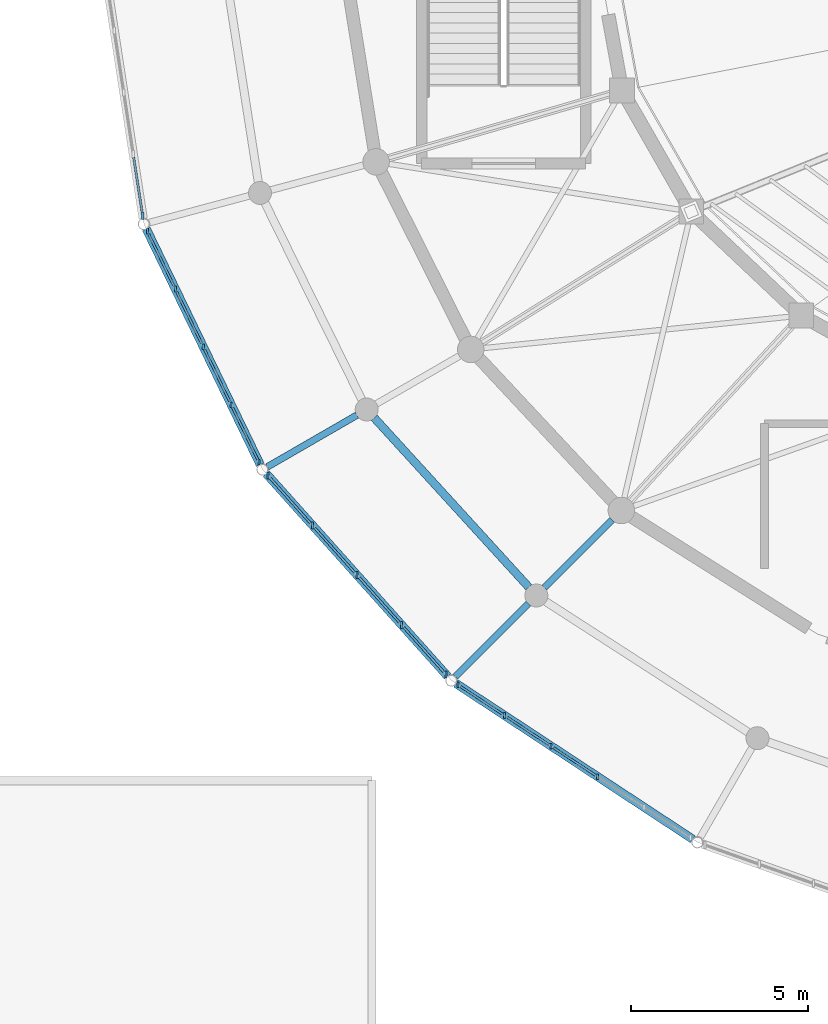
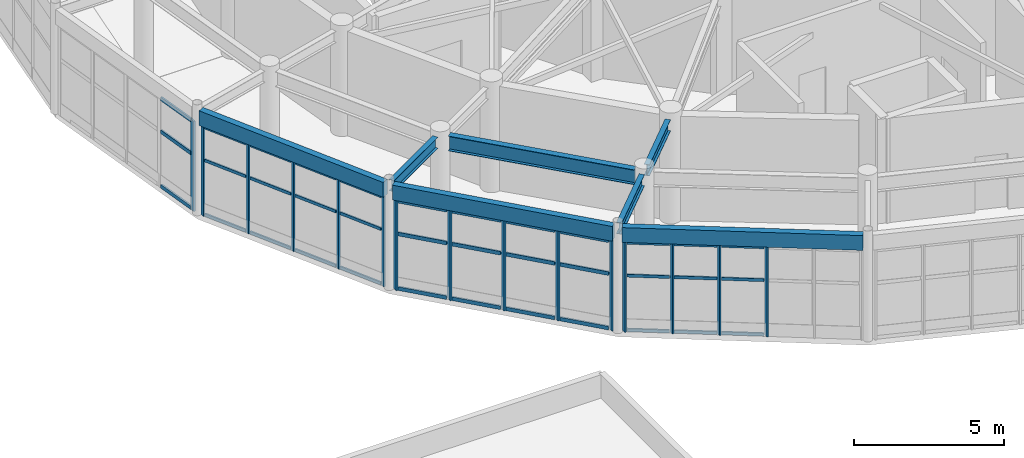
# One storey, part 39 of 112: 51 members, 7 beams, 4 elements without a shape of their own.
"""IFC4 building model written with IfcOpenShell, lengths in metres."""

import ifcopenshell
import ifcopenshell.guid

model = None  # the IFC model being written
_history = None  # IfcOwnerHistory: only IFC2X3 demands one
_inside = {}  # id of a spatial element -> (the spatial element, [elements in it])
_under = {}  # id of a project, library or spatial element -> (it, [spatial elements below it])
_declared = {}  # id of a project -> (the project, [libraries it declares])
_typed = {}  # id of a type object -> (the type object, [elements of that type])
_made_of = {}  # id of a material, layer set ... -> (it, [elements and type objects made of it])


def new_model(schema):
    """Start an empty IFC model of exactly this schema.

    Asked for "IFC4X3", IfcOpenShell would pick the latest addendum, in which some entities
    have other attributes; the version numbers below select the first issue.
    IFC2X3 requires an IfcOwnerHistory on every rooted entity: one is made here for all.
    """
    global model, _history
    if schema == "IFC4X3":
        model = ifcopenshell.file(schema_version=(4, 3, 0, 0))
    else:
        model = ifcopenshell.file(schema=schema)
    _inside.clear()
    _under.clear()
    _declared.clear()
    _typed.clear()
    _made_of.clear()
    _history = None
    if model.schema == "IFC2X3":
        org = make("IfcOrganization", Name="unknown")
        user = make(
            "IfcPersonAndOrganization",
            ThePerson=make("IfcPerson", FamilyName="unknown"),
            TheOrganization=org,
        )
        app = make(
            "IfcApplication",
            ApplicationDeveloper=org,
            Version="unknown",
            ApplicationFullName="unknown",
            ApplicationIdentifier="unknown",
        )
        _history = make(
            "IfcOwnerHistory",
            OwningUser=user,
            OwningApplication=app,
            ChangeAction="ADDED",
            CreationDate=0,
        )
    return model


def make(cls, **values):
    """One entity of the class cls with the attributes given. An attribute that is None is left unset."""
    return model.create_entity(
        cls, **{name: value for name, value in values.items() if value is not None}
    )


def rooted(cls, **values):
    """An entity with a GlobalId (a new one), such as an element, a storey or a relation."""
    return make(cls, GlobalId=ifcopenshell.guid.new(), OwnerHistory=_history, **values)


def si_unit(unit_type, name, prefix=None):
    """IfcSIUnit, for example si_unit("LENGTHUNIT", "METRE", prefix="MILLI")."""
    return make("IfcSIUnit", UnitType=unit_type, Prefix=prefix, Name=name)


def assignment(units):
    """IfcUnitAssignment: the units of a project."""
    return None if units is None else make("IfcUnitAssignment", Units=units)


def point(xyz):
    """IfcCartesianPoint."""
    return None if xyz is None else make("IfcCartesianPoint", Coordinates=xyz)


def direction(xyz):
    """IfcDirection."""
    return None if xyz is None else make("IfcDirection", DirectionRatios=xyz)


def frame(location, z_axis=None, x_axis=None):
    """IfcAxis2Placement3D, a coordinate frame: its origin and axes. An axis left out is left unset."""
    return make(
        "IfcAxis2Placement3D",
        Location=point(location),
        Axis=direction(z_axis),
        RefDirection=direction(x_axis),
    )


def frame_2d(location, x_axis=None):
    """IfcAxis2Placement2D, a coordinate frame in the plane: its origin and x axis."""
    return make(
        "IfcAxis2Placement2D", Location=point(location), RefDirection=direction(x_axis)
    )


def origin():
    """The frame at (0, 0, 0) with its axes left unset."""
    return frame((0.0, 0.0, 0.0))


def origin_2d():
    """The frame at (0, 0) in the plane with its x axis left unset."""
    return frame_2d((0.0, 0.0))


def place(relative_to, where):
    """IfcLocalPlacement: puts the frame where relative to a parent placement (None: the world)."""
    return make(
        "IfcLocalPlacement", PlacementRelTo=relative_to, RelativePlacement=where
    )


def context(
    kind, dimensions, precision=None, world=None, true_north=None, identifier=None
):
    """IfcGeometricRepresentationContext, for example the 3D "Model" context."""
    return make(
        "IfcGeometricRepresentationContext",
        ContextIdentifier=identifier,
        ContextType=kind,
        CoordinateSpaceDimension=dimensions,
        Precision=precision,
        WorldCoordinateSystem=world,
        TrueNorth=true_north,
    )


def subcontext(parent, identifier, kind, view, scale=None):
    """IfcGeometricRepresentationSubContext, for example "Body" below "Model"."""
    return make(
        "IfcGeometricRepresentationSubContext",
        ContextIdentifier=identifier,
        ContextType=kind,
        ParentContext=parent,
        TargetScale=scale,
        TargetView=view,
    )


def project(units=None, contexts=None):
    """IfcProject with its units and contexts."""
    return rooted(
        "IfcProject",
        Name="project",
        RepresentationContexts=contexts,
        UnitsInContext=assignment(units),
    )


def spatial(cls, under=None, at=None, **own):
    """A site, building, storey or space (cls), placed at a placement, below another one or the project."""
    s = rooted(cls, ObjectPlacement=at, **own)
    if under is not None:
        _under.setdefault(under.id(), (under, []))[1].append(s)
    return s


def profile(cls, at=None, kind="AREA", **sizes):
    """A parametric profile (cls). Its sizes go by their IFC names, for example OverallWidth=200.0."""
    return make(cls, ProfileType=kind, Position=at, **sizes)


def rectangle(**sizes):
    """IfcRectangleProfileDef."""
    return profile("IfcRectangleProfileDef", **sizes)


def i_section(**sizes):
    """IfcIShapeProfileDef."""
    return profile("IfcIShapeProfileDef", **sizes)


def extrude(swept, where, along, depth):
    """IfcExtrudedAreaSolid: the profile swept, set in the frame where, extruded along a direction by depth."""
    return make(
        "IfcExtrudedAreaSolid",
        SweptArea=swept,
        Position=where,
        ExtrudedDirection=direction(along),
        Depth=depth,
    )


def shape(context_of_items, identifier, shape_type, items):
    """IfcShapeRepresentation: the items that make up one representation, for example the "Body"."""
    return make(
        "IfcShapeRepresentation",
        ContextOfItems=context_of_items,
        RepresentationIdentifier=identifier,
        RepresentationType=shape_type,
        Items=items,
    )


def material(Name=None, Category=None):
    """IfcMaterial."""
    return make("IfcMaterial", Name=Name, Category=Category)


def material_profile(
    of_material, cross_section, Name=None, Category=None, Priority=None
):
    """IfcMaterialProfile: a cross section and its material."""
    return make(
        "IfcMaterialProfile",
        Name=Name,
        Material=of_material,
        Profile=cross_section,
        Priority=Priority,
        Category=Category,
    )


def profile_set(profiles, Name=None, composite=None):
    """IfcMaterialProfileSet."""
    return make(
        "IfcMaterialProfileSet",
        Name=Name,
        MaterialProfiles=profiles,
        CompositeProfile=composite,
    )


def made_of(thing, what):
    """Note that an element or type object is made of a material, layer set ...; save() writes the relation."""
    if what is not None:
        _made_of.setdefault(what.id(), (what, []))[1].append(thing)
    return thing


def type_object(cls, material=None, **own):
    """A type object (cls), such as IfcWallType, which elements share."""
    return made_of(rooted(cls, **own), material)


def element(
    cls,
    number,
    at=None,
    inside=None,
    cuts=None,
    type_object=None,
    material=None,
    context=None,
    identifier="Body",
    shape_type=None,
    held_by="IfcProductDefinitionShape",
    body=None,
    shapes=None,
    **own,
):
    """One element of the class cls, such as IfcWall. Its Tag is "e" and its number.

    at: its placement. inside: the storey or other place that contains it. cuts: it is an
    opening in that element (IfcRelVoidsElement). A single representation is given by context,
    identifier, shape_type and body (its items); several are given by shapes. held_by: the class
    of the entity that holds the representations. save() writes the other relations.
    """
    e = rooted(cls, Tag="e%d" % number, ObjectPlacement=at, **own)
    if body is not None:
        shapes = [shape(context, identifier, shape_type, body)]
    if shapes is not None:
        e.Representation = make(held_by, Representations=shapes)
    if inside is not None:
        _inside.setdefault(inside.id(), (inside, []))[1].append(e)
    if cuts is not None:
        rooted(
            "IfcRelVoidsElement", RelatingBuildingElement=cuts, RelatedOpeningElement=e
        )
    if type_object is not None:
        _typed.setdefault(type_object.id(), (type_object, []))[1].append(e)
    return made_of(e, material)


def aggregate(whole, parts):
    """IfcRelAggregates: a whole, such as a stair, and the parts it consists of."""
    return rooted("IfcRelAggregates", RelatingObject=whole, RelatedObjects=parts)


def save(model, path):
    """Write the relations noted so far, then the file.

    IfcRelAggregates (storeys below a building ...), IfcRelContainedInSpatialStructure (elements
    in a storey), IfcRelDefinesByType, IfcRelAssociatesMaterial and IfcRelDeclares: one each for
    every whole, place, type object, material and project.
    """
    for whole, parts in _under.values():
        aggregate(whole, parts)
    for where, things in _inside.values():
        rooted(
            "IfcRelContainedInSpatialStructure",
            RelatedElements=things,
            RelatingStructure=where,
        )
    for kind, things in _typed.values():
        rooted("IfcRelDefinesByType", RelatedObjects=things, RelatingType=kind)
    for what, things in _made_of.values():
        rooted("IfcRelAssociatesMaterial", RelatedObjects=things, RelatingMaterial=what)
    for by, libraries in _declared.values():
        rooted("IfcRelDeclares", RelatingContext=by, RelatedDefinitions=libraries)
    model.write(path)


model = new_model("IFC4")

# Units and contexts
model_context = context("Model", 3, precision=1e-05, world=origin(), true_north=direction((0.0, 1.0)))
body_context = subcontext(model_context, "Body", "Model", "MODEL_VIEW")
ifc_project = project(units=[si_unit("LENGTHUNIT", "METRE"), si_unit("AREAUNIT", "SQUARE_METRE"), si_unit("VOLUMEUNIT", "CUBIC_METRE"), si_unit("PLANEANGLEUNIT", "RADIAN"), si_unit("MASSUNIT", "GRAM", prefix="KILO")], contexts=[model_context])

# Site, building, storey
site_placement = place(None, origin())
site = spatial("IfcSite", under=ifc_project, at=site_placement, CompositionType="ELEMENT")
building_placement = place(site_placement, origin())
building = spatial("IfcBuilding", under=site, at=building_placement, Name="Cinderbank Siding Concert Hall", CompositionType="ELEMENT")
storey_placement = place(building_placement, frame((0.0, 0.0, 10.199951171875)))
storey = spatial("IfcBuildingStorey", under=building, at=storey_placement, Name="L03", CompositionType="ELEMENT", Elevation=10.199951171875)

# Beams
ifc_material_1 = material(Name="Structural steel AS/NZS 3679.1 Grade 350 (340 MPa)", Category="steel")
ifc_material_profile_1 = material_profile(ifc_material_1, i_section(OverallWidth=0.19091796875, OverallDepth=0.46044921875, WebThickness=0.010009765625, FlangeThickness=0.01611328125, at=origin_2d()), Name="460UB82.1", Category="LoadBearing")
ifc_profile_set_1 = profile_set([ifc_material_profile_1], Name="Structural steel AS/NZS 3679.1 Grade 350 (340 MPa)")
beam_type_1 = type_object("IfcBeamType", Name="BM-UB460H 460UB82.1", PredefinedType="BEAM", material=ifc_profile_set_1)
beam_1_placement = place(storey_placement, frame((102.7900390625, 28.18408203125, 4.011962890625), z_axis=(-0.707151723938, -0.707061835578, 0.0), x_axis=(0.707061835578, -0.707151723938, 0.0)))
element("IfcBeam", 1, at=beam_1_placement, inside=storey, type_object=beam_type_1, Name="L03 Beam BM-UB460H #619", PredefinedType="BEAM", context=body_context, shape_type="SweptSolid", body=[
    extrude(i_section(OverallWidth=0.19091796875, OverallDepth=0.46044921875, WebThickness=0.010009765625, FlangeThickness=0.01611328125, at=origin_2d()), origin(), (0.0, 0.0, 1.0), 2.716064453125),
])
beam_2_placement = place(storey_placement, frame((95.571533203125, 31.1416015625, 4.0517578125), z_axis=(-0.866013467834, -0.500020673103, 0.0), x_axis=(0.500020673103, -0.866013467834, 0.0)))
element("IfcBeam", 2, at=beam_2_placement, inside=storey, type_object=beam_type_1, Name="L03 Beam BM-UB460H #642", PredefinedType="BEAM", context=body_context, shape_type="SweptSolid", body=[
    extrude(i_section(OverallWidth=0.19091796875, OverallDepth=0.46044921875, WebThickness=0.010009765625, FlangeThickness=0.01611328125, at=origin_2d()), origin(), (0.0, 0.0, 1.0), 2.92919921875),
])
beam_3_placement = place(storey_placement, frame((100.421142578125, 25.815185546875, 4.0517578125), z_axis=(-0.707106781187, -0.707106781187, 0.0), x_axis=(0.707106781187, -0.707106781187, 0.0)))
element("IfcBeam", 3, at=beam_3_placement, inside=storey, type_object=beam_type_1, Name="L03 Beam BM-UB460H #643", PredefinedType="BEAM", context=body_context, shape_type="SweptSolid", body=[
    extrude(i_section(OverallWidth=0.19091796875, OverallDepth=0.46044921875, WebThickness=0.010009765625, FlangeThickness=0.01611328125, at=origin_2d()), origin(), (0.0, 0.0, 1.0), 2.928955078125),
])
ifc_material_profile_2 = material_profile(ifc_material_1, i_section(OverallWidth=0.22802734375, OverallDepth=0.60693359375, WebThickness=0.01123046875, FlangeThickness=0.017333984375, at=origin_2d()), Name="610UB113", Category="LoadBearing")
ifc_profile_set_2 = profile_set([ifc_material_profile_2], Name="Structural steel AS/NZS 3679.1 Grade 350 (340 MPa)")
beam_type_2 = type_object("IfcBeamType", Name="BM-UB610M 610UB113", PredefinedType="BEAM", material=ifc_profile_set_2)
beam_4_placement = place(storey_placement, frame((96.059814453125, 31.06591796875, 3.9384765625), z_axis=(0.67395874418, -0.73876898361, 0.0), x_axis=(0.73876898361, 0.67395874418, 0.0)))
element("IfcBeam", 4, at=beam_4_placement, inside=storey, type_object=beam_type_2, Name="L03 Beam BM-UB610M #559", PredefinedType="BEAM", context=body_context, shape_type="SweptSolid", body=[
    extrude(i_section(OverallWidth=0.22802734375, OverallDepth=0.60693359375, WebThickness=0.01123046875, FlangeThickness=0.017333984375, at=origin_2d()), origin(), (0.0, 0.0, 1.0), 6.48681640625),
])

# Curtain wall, members
ifc_material_2 = material(Name="Anodised aluminium alloy 6063-T6", Category="aluminium")
curtain_wall_type_1 = type_object("IfcCurtainWallType", Name="CW-02 Unitised Acoustic Curtain Wall 7800x4400", PredefinedType="NOTDEFINED", material=ifc_material_2)
curtain_wall_1_placement = place(storey_placement, origin())
curtain_wall_1 = element("IfcCurtainWall", 5, at=curtain_wall_1_placement, inside=storey, type_object=curtain_wall_type_1, Name="L03 Curtain Wall CW-02 #38", PredefinedType="NOTDEFINED")
ifc_material_profile_3 = material_profile(ifc_material_2, rectangle(XDim=0.06005859375, YDim=0.159912109375, at=origin_2d()), Name="ALU-MULL-60x160", Category="LoadBearing")
ifc_profile_set_3 = profile_set([ifc_material_profile_3], Name="Anodised aluminium alloy 6063-T6")
member_type_1 = type_object("IfcMemberType", Name="CW-ML1 Mullion 60x160", PredefinedType="MULLION", material=ifc_profile_set_3)
member_1_placement = place(storey_placement, frame((89.6435546875, 36.341796875, 0.0), z_axis=(0.0, 0.0, 1.0), x_axis=(1.0, 0.0, 0.0)))
member_1 = element("IfcMember", 6, at=member_1_placement, type_object=member_type_1, Name="CW-L03-038 Mullion 0", PredefinedType="MULLION", context=body_context, shape_type="SweptSolid", body=[
    extrude(rectangle(XDim=0.06005859375, YDim=0.159912109375, at=origin_2d()), origin(), (0.0, 0.0, 1.0), 3.6669921875),
])
member_2_placement = place(storey_placement, frame((90.433349609375, 34.707275390625, 0.0), z_axis=(0.0, 0.0, 1.0), x_axis=(1.0, 0.0, 0.0)))
member_2 = element("IfcMember", 7, at=member_2_placement, type_object=member_type_1, Name="CW-L03-038 Mullion 1", PredefinedType="MULLION", context=body_context, shape_type="SweptSolid", body=[
    extrude(rectangle(XDim=0.06005859375, YDim=0.159912109375, at=origin_2d()), origin(), (0.0, 0.0, 1.0), 3.6669921875),
])
member_3_placement = place(storey_placement, frame((91.22314453125, 33.072998046875, 0.0), z_axis=(0.0, 0.0, 1.0), x_axis=(1.0, 0.0, 0.0)))
member_3 = element("IfcMember", 8, at=member_3_placement, type_object=member_type_1, Name="CW-L03-038 Mullion 2", PredefinedType="MULLION", context=body_context, shape_type="SweptSolid", body=[
    extrude(rectangle(XDim=0.06005859375, YDim=0.159912109375, at=origin_2d()), origin(), (0.0, 0.0, 1.0), 3.6669921875),
])
member_4_placement = place(storey_placement, frame((92.012939453125, 31.438720703125, 0.0), z_axis=(0.0, 0.0, 1.0), x_axis=(1.0, 0.0, 0.0)))
member_4 = element("IfcMember", 9, at=member_4_placement, type_object=member_type_1, Name="CW-L03-038 Mullion 3", PredefinedType="MULLION", context=body_context, shape_type="SweptSolid", body=[
    extrude(rectangle(XDim=0.06005859375, YDim=0.159912109375, at=origin_2d()), origin(), (0.0, 0.0, 1.0), 3.6669921875),
])
member_5_placement = place(storey_placement, frame((92.802734375, 29.80419921875, 0.0), z_axis=(0.0, 0.0, 1.0), x_axis=(1.0, 0.0, 0.0)))
member_5 = element("IfcMember", 10, at=member_5_placement, type_object=member_type_1, Name="CW-L03-038 Mullion 4", PredefinedType="MULLION", context=body_context, shape_type="SweptSolid", body=[
    extrude(rectangle(XDim=0.06005859375, YDim=0.159912109375, at=origin_2d()), origin(), (0.0, 0.0, 1.0), 3.6669921875),
])

curtain_wall_type_2 = type_object("IfcCurtainWallType", Name="CW-04 Unitised Acoustic Curtain Wall 7000x4400", PredefinedType="NOTDEFINED", material=ifc_material_2)
curtain_wall_2_placement = place(storey_placement, origin())
curtain_wall_2 = element("IfcCurtainWall", 11, at=curtain_wall_2_placement, inside=storey, type_object=curtain_wall_type_2, Name="L03 Curtain Wall CW-04 #40", PredefinedType="NOTDEFINED")
member_6_placement = place(storey_placement, frame((98.430908203125, 23.510498046875, 0.0), z_axis=(0.0, 0.0, 1.0), x_axis=(1.0, 0.0, 0.0)))
member_6 = element("IfcMember", 12, at=member_6_placement, type_object=member_type_1, Name="CW-L03-040 Mullion 0", PredefinedType="MULLION", context=body_context, shape_type="SweptSolid", body=[
    extrude(rectangle(XDim=0.06005859375, YDim=0.159912109375, at=origin_2d()), origin(), (0.0, 0.0, 1.0), 3.6669921875),
])
member_7_placement = place(storey_placement, frame((99.74658203125, 22.64501953125, 0.0), z_axis=(0.0, 0.0, 1.0), x_axis=(1.0, 0.0, 0.0)))
member_7 = element("IfcMember", 13, at=member_7_placement, type_object=member_type_1, Name="CW-L03-040 Mullion 1", PredefinedType="MULLION", context=body_context, shape_type="SweptSolid", body=[
    extrude(rectangle(XDim=0.06005859375, YDim=0.159912109375, at=origin_2d()), origin(), (0.0, 0.0, 1.0), 3.6669921875),
])
member_8_placement = place(storey_placement, frame((101.0625, 21.779541015625, 0.0), z_axis=(0.0, 0.0, 1.0), x_axis=(1.0, 0.0, 0.0)))
member_8 = element("IfcMember", 14, at=member_8_placement, type_object=member_type_1, Name="CW-L03-040 Mullion 2", PredefinedType="MULLION", context=body_context, shape_type="SweptSolid", body=[
    extrude(rectangle(XDim=0.06005859375, YDim=0.159912109375, at=origin_2d()), origin(), (0.0, 0.0, 1.0), 3.6669921875),
])
member_9_placement = place(storey_placement, frame((102.378662109375, 20.914306640625, 0.0), z_axis=(0.0, 0.0, 1.0), x_axis=(1.0, 0.0, 0.0)))
member_9 = element("IfcMember", 15, at=member_9_placement, type_object=member_type_1, Name="CW-L03-040 Mullion 3", PredefinedType="MULLION", context=body_context, shape_type="SweptSolid", body=[
    extrude(rectangle(XDim=0.06005859375, YDim=0.159912109375, at=origin_2d()), origin(), (0.0, 0.0, 1.0), 3.6669921875),
])

# Curtain wall, member
curtain_wall_type_3 = type_object("IfcCurtainWallType", Name="CW-01 Unitised Acoustic Curtain Wall 8200x4400", PredefinedType="NOTDEFINED", material=ifc_material_2)
curtain_wall_3_placement = place(storey_placement, origin())
curtain_wall_3 = element("IfcCurtainWall", 16, at=curtain_wall_3_placement, inside=storey, type_object=curtain_wall_type_3, Name="L03 Curtain Wall CW-01 #37", PredefinedType="NOTDEFINED")
ifc_material_profile_4 = material_profile(ifc_material_2, rectangle(XDim=0.06494140625, YDim=0.199951171875, at=origin_2d()), Name="ALU-MULL-65x200", Category="LoadBearing")
ifc_profile_set_4 = profile_set([ifc_material_profile_4], Name="Anodised aluminium alloy 6063-T6")
member_type_2 = type_object("IfcMemberType", Name="CW-ML2 Mullion 65x200", PredefinedType="MULLION", material=ifc_profile_set_4)
member_10_placement = place(storey_placement, frame((89.510498046875, 36.770263671875, 0.0), z_axis=(0.0, 0.0, 1.0), x_axis=(1.0, 0.0, 0.0)))
member_10 = element("IfcMember", 17, at=member_10_placement, type_object=member_type_2, Name="CW-L03-037 Mullion 4", PredefinedType="MULLION", context=body_context, shape_type="SweptSolid", body=[
    extrude(rectangle(XDim=0.06494140625, YDim=0.199951171875, at=origin_2d()), origin(), (0.0, 0.0, 1.0), 3.6669921875),
])

# Curtain wall, members
curtain_wall_type_4 = type_object("IfcCurtainWallType", Name="CW-03 Unitised Acoustic Curtain Wall 7400x4400", PredefinedType="NOTDEFINED", material=ifc_material_2)
curtain_wall_4_placement = place(storey_placement, origin())
curtain_wall_4 = element("IfcCurtainWall", 18, at=curtain_wall_4_placement, inside=storey, type_object=curtain_wall_type_4, Name="L03 Curtain Wall CW-03 #39", PredefinedType="NOTDEFINED")
member_11_placement = place(storey_placement, frame((93.052978515625, 29.430908203125, 0.0), z_axis=(0.0, 0.0, 1.0), x_axis=(1.0, 0.0, 0.0)))
member_11 = element("IfcMember", 19, at=member_11_placement, type_object=member_type_2, Name="CW-L03-039 Mullion 0", PredefinedType="MULLION", context=body_context, shape_type="SweptSolid", body=[
    extrude(rectangle(XDim=0.06494140625, YDim=0.199951171875, at=origin_2d()), origin(), (0.0, 0.0, 1.0), 3.6669921875),
])
member_12_placement = place(storey_placement, frame((94.31201171875, 28.0244140625, 0.0), z_axis=(0.0, 0.0, 1.0), x_axis=(1.0, 0.0, 0.0)))
member_12 = element("IfcMember", 20, at=member_12_placement, type_object=member_type_2, Name="CW-L03-039 Mullion 1", PredefinedType="MULLION", context=body_context, shape_type="SweptSolid", body=[
    extrude(rectangle(XDim=0.06494140625, YDim=0.199951171875, at=origin_2d()), origin(), (0.0, 0.0, 1.0), 3.6669921875),
])
member_13_placement = place(storey_placement, frame((95.5712890625, 26.61767578125, 0.0), z_axis=(0.0, 0.0, 1.0), x_axis=(1.0, 0.0, 0.0)))
member_13 = element("IfcMember", 21, at=member_13_placement, type_object=member_type_2, Name="CW-L03-039 Mullion 2", PredefinedType="MULLION", context=body_context, shape_type="SweptSolid", body=[
    extrude(rectangle(XDim=0.06494140625, YDim=0.199951171875, at=origin_2d()), origin(), (0.0, 0.0, 1.0), 3.6669921875),
])
member_14_placement = place(storey_placement, frame((96.83056640625, 25.2109375, 0.0), z_axis=(0.0, 0.0, 1.0), x_axis=(1.0, 0.0, 0.0)))
member_14 = element("IfcMember", 22, at=member_14_placement, type_object=member_type_2, Name="CW-L03-039 Mullion 3", PredefinedType="MULLION", context=body_context, shape_type="SweptSolid", body=[
    extrude(rectangle(XDim=0.06494140625, YDim=0.199951171875, at=origin_2d()), origin(), (0.0, 0.0, 1.0), 3.6669921875),
])
member_15_placement = place(storey_placement, frame((98.08984375, 23.804443359375, 0.0), z_axis=(0.0, 0.0, 1.0), x_axis=(1.0, 0.0, 0.0)))
member_15 = element("IfcMember", 23, at=member_15_placement, type_object=member_type_2, Name="CW-L03-039 Mullion 4", PredefinedType="MULLION", context=body_context, shape_type="SweptSolid", body=[
    extrude(rectangle(XDim=0.06494140625, YDim=0.199951171875, at=origin_2d()), origin(), (0.0, 0.0, 1.0), 3.6669921875),
])

# Member
ifc_material_profile_5 = material_profile(ifc_material_2, rectangle(XDim=0.06005859375, YDim=0.1201171875, at=origin_2d()), Name="ALU-TRAN-60x120", Category="LoadBearing")
ifc_profile_set_5 = profile_set([ifc_material_profile_5], Name="Anodised aluminium alloy 6063-T6")
member_type_3 = type_object("IfcMemberType", Name="CW-TR1 Transom 60x120", PredefinedType="USERDEFINED", material=ifc_profile_set_5)
member_16_placement = place(storey_placement, frame((89.68310546875, 36.260009765625, 0.06005859375), z_axis=(0.435037415308, -0.900412376238, 0.0), x_axis=(0.900412376238, 0.435037415308, 0.0)))
member_16 = element("IfcMember", 24, at=member_16_placement, type_object=member_type_3, Name="CW-L03-038 Transom 0-0", ObjectType="TRANSOM", PredefinedType="USERDEFINED", context=body_context, shape_type="SweptSolid", body=[
    extrude(rectangle(XDim=0.06005859375, YDim=0.1201171875, at=origin_2d()), origin(), (0.0, 0.0, 1.0), 1.633544921875),
])

member_17_placement = place(storey_placement, frame((89.68310546875, 36.260009765625, 2.2734375), z_axis=(0.435037415308, -0.900412376238, 0.0), x_axis=(0.900412376238, 0.435037415308, 0.0)))
member_17 = element("IfcMember", 25, at=member_17_placement, type_object=member_type_3, Name="CW-L03-038 Transom 0-1", ObjectType="TRANSOM", PredefinedType="USERDEFINED", context=body_context, shape_type="SweptSolid", body=[
    extrude(rectangle(XDim=0.06005859375, YDim=0.1201171875, at=origin_2d()), origin(), (0.0, 0.0, 1.0), 1.633544921875),
])

member_18_placement = place(storey_placement, frame((89.68310546875, 36.260009765625, 3.60693359375), z_axis=(0.435037415308, -0.900412376238, 0.0), x_axis=(0.900412376238, 0.435037415308, 0.0)))
member_18 = element("IfcMember", 26, at=member_18_placement, type_object=member_type_3, Name="CW-L03-038 Transom 0-2", ObjectType="TRANSOM", PredefinedType="USERDEFINED", context=body_context, shape_type="SweptSolid", body=[
    extrude(rectangle(XDim=0.06005859375, YDim=0.1201171875, at=origin_2d()), origin(), (0.0, 0.0, 1.0), 1.633544921875),
])

member_19_placement = place(storey_placement, frame((90.472900390625, 34.62548828125, 0.06005859375), z_axis=(0.435095962233, -0.900384086737, 0.0), x_axis=(0.900384086737, 0.435095962233, 0.0)))
member_19 = element("IfcMember", 27, at=member_19_placement, type_object=member_type_3, Name="CW-L03-038 Transom 1-0", ObjectType="TRANSOM", PredefinedType="USERDEFINED", context=body_context, shape_type="SweptSolid", body=[
    extrude(rectangle(XDim=0.06005859375, YDim=0.1201171875, at=origin_2d()), origin(), (0.0, 0.0, 1.0), 1.63330078125),
])

member_20_placement = place(storey_placement, frame((90.472900390625, 34.62548828125, 2.2734375), z_axis=(0.435095962233, -0.900384086737, 0.0), x_axis=(0.900384086737, 0.435095962233, 0.0)))
member_20 = element("IfcMember", 28, at=member_20_placement, type_object=member_type_3, Name="CW-L03-038 Transom 1-1", ObjectType="TRANSOM", PredefinedType="USERDEFINED", context=body_context, shape_type="SweptSolid", body=[
    extrude(rectangle(XDim=0.06005859375, YDim=0.1201171875, at=origin_2d()), origin(), (0.0, 0.0, 1.0), 1.63330078125),
])

member_21_placement = place(storey_placement, frame((90.472900390625, 34.62548828125, 3.60693359375), z_axis=(0.435095962233, -0.900384086737, 0.0), x_axis=(0.900384086737, 0.435095962233, 0.0)))
member_21 = element("IfcMember", 29, at=member_21_placement, type_object=member_type_3, Name="CW-L03-038 Transom 1-2", ObjectType="TRANSOM", PredefinedType="USERDEFINED", context=body_context, shape_type="SweptSolid", body=[
    extrude(rectangle(XDim=0.06005859375, YDim=0.1201171875, at=origin_2d()), origin(), (0.0, 0.0, 1.0), 1.63330078125),
])

member_22_placement = place(storey_placement, frame((91.2626953125, 32.9912109375, 0.06005859375), z_axis=(0.435095962233, -0.900384086737, 0.0), x_axis=(0.900384086737, 0.435095962233, 0.0)))
member_22 = element("IfcMember", 30, at=member_22_placement, type_object=member_type_3, Name="CW-L03-038 Transom 2-0", ObjectType="TRANSOM", PredefinedType="USERDEFINED", context=body_context, shape_type="SweptSolid", body=[
    extrude(rectangle(XDim=0.06005859375, YDim=0.1201171875, at=origin_2d()), origin(), (0.0, 0.0, 1.0), 1.63330078125),
])

member_23_placement = place(storey_placement, frame((91.2626953125, 32.9912109375, 2.2734375), z_axis=(0.435095962233, -0.900384086737, 0.0), x_axis=(0.900384086737, 0.435095962233, 0.0)))
member_23 = element("IfcMember", 31, at=member_23_placement, type_object=member_type_3, Name="CW-L03-038 Transom 2-1", ObjectType="TRANSOM", PredefinedType="USERDEFINED", context=body_context, shape_type="SweptSolid", body=[
    extrude(rectangle(XDim=0.06005859375, YDim=0.1201171875, at=origin_2d()), origin(), (0.0, 0.0, 1.0), 1.63330078125),
])

member_24_placement = place(storey_placement, frame((91.2626953125, 32.9912109375, 3.60693359375), z_axis=(0.435095962233, -0.900384086737, 0.0), x_axis=(0.900384086737, 0.435095962233, 0.0)))
member_24 = element("IfcMember", 32, at=member_24_placement, type_object=member_type_3, Name="CW-L03-038 Transom 2-2", ObjectType="TRANSOM", PredefinedType="USERDEFINED", context=body_context, shape_type="SweptSolid", body=[
    extrude(rectangle(XDim=0.06005859375, YDim=0.1201171875, at=origin_2d()), origin(), (0.0, 0.0, 1.0), 1.63330078125),
])

member_25_placement = place(storey_placement, frame((92.052490234375, 31.35693359375, 0.06005859375), z_axis=(0.435037415308, -0.900412376238, 0.0), x_axis=(0.900412376238, 0.435037415308, 0.0)))
member_25 = element("IfcMember", 33, at=member_25_placement, type_object=member_type_3, Name="CW-L03-038 Transom 3-0", ObjectType="TRANSOM", PredefinedType="USERDEFINED", context=body_context, shape_type="SweptSolid", body=[
    extrude(rectangle(XDim=0.06005859375, YDim=0.1201171875, at=origin_2d()), origin(), (0.0, 0.0, 1.0), 1.633544921875),
])

member_26_placement = place(storey_placement, frame((92.052490234375, 31.35693359375, 2.2734375), z_axis=(0.435037415308, -0.900412376238, 0.0), x_axis=(0.900412376238, 0.435037415308, 0.0)))
member_26 = element("IfcMember", 34, at=member_26_placement, type_object=member_type_3, Name="CW-L03-038 Transom 3-1", ObjectType="TRANSOM", PredefinedType="USERDEFINED", context=body_context, shape_type="SweptSolid", body=[
    extrude(rectangle(XDim=0.06005859375, YDim=0.1201171875, at=origin_2d()), origin(), (0.0, 0.0, 1.0), 1.633544921875),
])

member_27_placement = place(storey_placement, frame((92.052490234375, 31.35693359375, 3.60693359375), z_axis=(0.435037415308, -0.900412376238, 0.0), x_axis=(0.900412376238, 0.435037415308, 0.0)))
member_27 = element("IfcMember", 35, at=member_27_placement, type_object=member_type_3, Name="CW-L03-038 Transom 3-2", ObjectType="TRANSOM", PredefinedType="USERDEFINED", context=body_context, shape_type="SweptSolid", body=[
    extrude(rectangle(XDim=0.06005859375, YDim=0.1201171875, at=origin_2d()), origin(), (0.0, 0.0, 1.0), 1.633544921875),
])

aggregate(curtain_wall_1, [member_1, member_2, member_3, member_4, member_5, member_16, member_17, member_18, member_19, member_20, member_21, member_22, member_23, member_24, member_25, member_26, member_27])

member_28_placement = place(storey_placement, frame((98.49658203125, 23.46728515625, 0.06005859375), z_axis=(0.835531529407, -0.549442502331, 0.0), x_axis=(0.549442502331, 0.835531529407, 0.0)))
member_28 = element("IfcMember", 36, at=member_28_placement, type_object=member_type_3, Name="CW-L03-040 Transom 0-0", ObjectType="TRANSOM", PredefinedType="USERDEFINED", context=body_context, shape_type="SweptSolid", body=[
    extrude(rectangle(XDim=0.06005859375, YDim=0.1201171875, at=origin_2d()), origin(), (0.0, 0.0, 1.0), 1.41748046875),
])

member_29_placement = place(storey_placement, frame((98.49658203125, 23.46728515625, 2.2734375), z_axis=(0.835531529407, -0.549442502331, 0.0), x_axis=(0.549442502331, 0.835531529407, 0.0)))
member_29 = element("IfcMember", 37, at=member_29_placement, type_object=member_type_3, Name="CW-L03-040 Transom 0-1", ObjectType="TRANSOM", PredefinedType="USERDEFINED", context=body_context, shape_type="SweptSolid", body=[
    extrude(rectangle(XDim=0.06005859375, YDim=0.1201171875, at=origin_2d()), origin(), (0.0, 0.0, 1.0), 1.41748046875),
])

member_30_placement = place(storey_placement, frame((98.49658203125, 23.46728515625, 3.60693359375), z_axis=(0.835531529407, -0.549442502331, 0.0), x_axis=(0.549442502331, 0.835531529407, 0.0)))
member_30 = element("IfcMember", 38, at=member_30_placement, type_object=member_type_3, Name="CW-L03-040 Transom 0-2", ObjectType="TRANSOM", PredefinedType="USERDEFINED", context=body_context, shape_type="SweptSolid", body=[
    extrude(rectangle(XDim=0.06005859375, YDim=0.1201171875, at=origin_2d()), origin(), (0.0, 0.0, 1.0), 1.41748046875),
])

member_31_placement = place(storey_placement, frame((99.8125, 22.601806640625, 0.06005859375), z_axis=(0.835531529407, -0.549442502331, 0.0), x_axis=(0.549442502331, 0.835531529407, 0.0)))
member_31 = element("IfcMember", 39, at=member_31_placement, type_object=member_type_3, Name="CW-L03-040 Transom 1-0", ObjectType="TRANSOM", PredefinedType="USERDEFINED", context=body_context, shape_type="SweptSolid", body=[
    extrude(rectangle(XDim=0.06005859375, YDim=0.1201171875, at=origin_2d()), origin(), (0.0, 0.0, 1.0), 1.41748046875),
])

member_32_placement = place(storey_placement, frame((99.8125, 22.601806640625, 2.2734375), z_axis=(0.835531529407, -0.549442502331, 0.0), x_axis=(0.549442502331, 0.835531529407, 0.0)))
member_32 = element("IfcMember", 40, at=member_32_placement, type_object=member_type_3, Name="CW-L03-040 Transom 1-1", ObjectType="TRANSOM", PredefinedType="USERDEFINED", context=body_context, shape_type="SweptSolid", body=[
    extrude(rectangle(XDim=0.06005859375, YDim=0.1201171875, at=origin_2d()), origin(), (0.0, 0.0, 1.0), 1.41748046875),
])

member_33_placement = place(storey_placement, frame((99.8125, 22.601806640625, 3.60693359375), z_axis=(0.835531529407, -0.549442502331, 0.0), x_axis=(0.549442502331, 0.835531529407, 0.0)))
member_33 = element("IfcMember", 41, at=member_33_placement, type_object=member_type_3, Name="CW-L03-040 Transom 1-2", ObjectType="TRANSOM", PredefinedType="USERDEFINED", context=body_context, shape_type="SweptSolid", body=[
    extrude(rectangle(XDim=0.06005859375, YDim=0.1201171875, at=origin_2d()), origin(), (0.0, 0.0, 1.0), 1.41748046875),
])

member_34_placement = place(storey_placement, frame((101.12841796875, 21.736328125, 0.06005859375), z_axis=(0.835531529407, -0.549442502331, 0.0), x_axis=(0.549442502331, 0.835531529407, 0.0)))
member_34 = element("IfcMember", 42, at=member_34_placement, type_object=member_type_3, Name="CW-L03-040 Transom 2-0", ObjectType="TRANSOM", PredefinedType="USERDEFINED", context=body_context, shape_type="SweptSolid", body=[
    extrude(rectangle(XDim=0.06005859375, YDim=0.1201171875, at=origin_2d()), origin(), (0.0, 0.0, 1.0), 1.41748046875),
])

member_35_placement = place(storey_placement, frame((101.12841796875, 21.736328125, 2.2734375), z_axis=(0.835531529407, -0.549442502331, 0.0), x_axis=(0.549442502331, 0.835531529407, 0.0)))
member_35 = element("IfcMember", 43, at=member_35_placement, type_object=member_type_3, Name="CW-L03-040 Transom 2-1", ObjectType="TRANSOM", PredefinedType="USERDEFINED", context=body_context, shape_type="SweptSolid", body=[
    extrude(rectangle(XDim=0.06005859375, YDim=0.1201171875, at=origin_2d()), origin(), (0.0, 0.0, 1.0), 1.41748046875),
])

member_36_placement = place(storey_placement, frame((101.12841796875, 21.736328125, 3.60693359375), z_axis=(0.835531529407, -0.549442502331, 0.0), x_axis=(0.549442502331, 0.835531529407, 0.0)))
member_36 = element("IfcMember", 44, at=member_36_placement, type_object=member_type_3, Name="CW-L03-040 Transom 2-2", ObjectType="TRANSOM", PredefinedType="USERDEFINED", context=body_context, shape_type="SweptSolid", body=[
    extrude(rectangle(XDim=0.06005859375, YDim=0.1201171875, at=origin_2d()), origin(), (0.0, 0.0, 1.0), 1.41748046875),
])

aggregate(curtain_wall_2, [member_6, member_7, member_8, member_9, member_28, member_29, member_30, member_31, member_32, member_33, member_34, member_35, member_36])

ifc_material_profile_6 = material_profile(ifc_material_2, rectangle(XDim=0.06494140625, YDim=0.14990234375, at=origin_2d()), Name="ALU-TRAN-65x150", Category="LoadBearing")
ifc_profile_set_6 = profile_set([ifc_material_profile_6], Name="Anodised aluminium alloy 6063-T6")
member_type_4 = type_object("IfcMemberType", Name="CW-TR2 Transom 65x150", PredefinedType="USERDEFINED", material=ifc_profile_set_6)
member_37_placement = place(storey_placement, frame((89.2548828125, 38.43408203125, 0.06005859375), z_axis=(0.151873110161, -0.988399999196, 0.0), x_axis=(0.988399999196, 0.151873110161, 0.0)))
member_37 = element("IfcMember", 45, at=member_37_placement, type_object=member_type_4, Name="CW-L03-037 Transom 3-0", ObjectType="TRANSOM", PredefinedType="USERDEFINED", context=body_context, shape_type="SweptSolid", body=[
    extrude(rectangle(XDim=0.06494140625, YDim=0.14990234375, at=origin_2d()), origin(), (0.0, 0.0, 1.0), 1.5947265625),
])

member_38_placement = place(storey_placement, frame((89.2548828125, 38.43408203125, 2.2734375), z_axis=(0.151873110161, -0.988399999196, 0.0), x_axis=(0.988399999196, 0.151873110161, 0.0)))
member_38 = element("IfcMember", 46, at=member_38_placement, type_object=member_type_4, Name="CW-L03-037 Transom 3-1", ObjectType="TRANSOM", PredefinedType="USERDEFINED", context=body_context, shape_type="SweptSolid", body=[
    extrude(rectangle(XDim=0.06494140625, YDim=0.14990234375, at=origin_2d()), origin(), (0.0, 0.0, 1.0), 1.5947265625),
])

member_39_placement = place(storey_placement, frame((89.2548828125, 38.43408203125, 3.60693359375), z_axis=(0.151873110161, -0.988399999196, 0.0), x_axis=(0.988399999196, 0.151873110161, 0.0)))
member_39 = element("IfcMember", 47, at=member_39_placement, type_object=member_type_4, Name="CW-L03-037 Transom 3-2", ObjectType="TRANSOM", PredefinedType="USERDEFINED", context=body_context, shape_type="SweptSolid", body=[
    extrude(rectangle(XDim=0.06494140625, YDim=0.14990234375, at=origin_2d()), origin(), (0.0, 0.0, 1.0), 1.5947265625),
])

aggregate(curtain_wall_3, [member_10, member_37, member_38, member_39])

member_40_placement = place(storey_placement, frame((93.11572265625, 29.360595703125, 0.06005859375), z_axis=(0.667025792822, -0.745034624504, 0.0), x_axis=(0.745034624504, 0.667025792822, 0.0)))
member_40 = element("IfcMember", 48, at=member_40_placement, type_object=member_type_4, Name="CW-L03-039 Transom 0-0", ObjectType="TRANSOM", PredefinedType="USERDEFINED", context=body_context, shape_type="SweptSolid", body=[
    extrude(rectangle(XDim=0.06494140625, YDim=0.14990234375, at=origin_2d()), origin(), (0.0, 0.0, 1.0), 1.699462890625),
])

member_41_placement = place(storey_placement, frame((93.11572265625, 29.360595703125, 2.2734375), z_axis=(0.667025792822, -0.745034624504, 0.0), x_axis=(0.745034624504, 0.667025792822, 0.0)))
member_41 = element("IfcMember", 49, at=member_41_placement, type_object=member_type_4, Name="CW-L03-039 Transom 0-1", ObjectType="TRANSOM", PredefinedType="USERDEFINED", context=body_context, shape_type="SweptSolid", body=[
    extrude(rectangle(XDim=0.06494140625, YDim=0.14990234375, at=origin_2d()), origin(), (0.0, 0.0, 1.0), 1.699462890625),
])

member_42_placement = place(storey_placement, frame((93.11572265625, 29.360595703125, 3.60693359375), z_axis=(0.667025792822, -0.745034624504, 0.0), x_axis=(0.745034624504, 0.667025792822, 0.0)))
member_42 = element("IfcMember", 50, at=member_42_placement, type_object=member_type_4, Name="CW-L03-039 Transom 0-2", ObjectType="TRANSOM", PredefinedType="USERDEFINED", context=body_context, shape_type="SweptSolid", body=[
    extrude(rectangle(XDim=0.06494140625, YDim=0.14990234375, at=origin_2d()), origin(), (0.0, 0.0, 1.0), 1.699462890625),
])

member_43_placement = place(storey_placement, frame((94.375, 27.953857421875, 0.06005859375), z_axis=(0.667017441515, -0.745042101304, 0.0), x_axis=(0.745042101304, 0.667017441515, 0.0)))
member_43 = element("IfcMember", 51, at=member_43_placement, type_object=member_type_4, Name="CW-L03-039 Transom 1-0", ObjectType="TRANSOM", PredefinedType="USERDEFINED", context=body_context, shape_type="SweptSolid", body=[
    extrude(rectangle(XDim=0.06494140625, YDim=0.14990234375, at=origin_2d()), origin(), (0.0, 0.0, 1.0), 1.698974609375),
])

member_44_placement = place(storey_placement, frame((94.375, 27.953857421875, 2.2734375), z_axis=(0.667017441515, -0.745042101304, 0.0), x_axis=(0.745042101304, 0.667017441515, 0.0)))
member_44 = element("IfcMember", 52, at=member_44_placement, type_object=member_type_4, Name="CW-L03-039 Transom 1-1", ObjectType="TRANSOM", PredefinedType="USERDEFINED", context=body_context, shape_type="SweptSolid", body=[
    extrude(rectangle(XDim=0.06494140625, YDim=0.14990234375, at=origin_2d()), origin(), (0.0, 0.0, 1.0), 1.698974609375),
])

member_45_placement = place(storey_placement, frame((94.375, 27.953857421875, 3.60693359375), z_axis=(0.667017441515, -0.745042101304, 0.0), x_axis=(0.745042101304, 0.667017441515, 0.0)))
member_45 = element("IfcMember", 53, at=member_45_placement, type_object=member_type_4, Name="CW-L03-039 Transom 1-2", ObjectType="TRANSOM", PredefinedType="USERDEFINED", context=body_context, shape_type="SweptSolid", body=[
    extrude(rectangle(XDim=0.06494140625, YDim=0.14990234375, at=origin_2d()), origin(), (0.0, 0.0, 1.0), 1.698974609375),
])

member_46_placement = place(storey_placement, frame((95.63427734375, 26.54736328125, 0.06005859375), z_axis=(0.667017441515, -0.745042101304, 0.0), x_axis=(0.745042101304, 0.667017441515, 0.0)))
member_46 = element("IfcMember", 54, at=member_46_placement, type_object=member_type_4, Name="CW-L03-039 Transom 2-0", ObjectType="TRANSOM", PredefinedType="USERDEFINED", context=body_context, shape_type="SweptSolid", body=[
    extrude(rectangle(XDim=0.06494140625, YDim=0.14990234375, at=origin_2d()), origin(), (0.0, 0.0, 1.0), 1.698974609375),
])

member_47_placement = place(storey_placement, frame((95.63427734375, 26.54736328125, 2.2734375), z_axis=(0.667017441515, -0.745042101304, 0.0), x_axis=(0.745042101304, 0.667017441515, 0.0)))
member_47 = element("IfcMember", 55, at=member_47_placement, type_object=member_type_4, Name="CW-L03-039 Transom 2-1", ObjectType="TRANSOM", PredefinedType="USERDEFINED", context=body_context, shape_type="SweptSolid", body=[
    extrude(rectangle(XDim=0.06494140625, YDim=0.14990234375, at=origin_2d()), origin(), (0.0, 0.0, 1.0), 1.698974609375),
])

member_48_placement = place(storey_placement, frame((95.63427734375, 26.54736328125, 3.60693359375), z_axis=(0.667017441515, -0.745042101304, 0.0), x_axis=(0.745042101304, 0.667017441515, 0.0)))
member_48 = element("IfcMember", 56, at=member_48_placement, type_object=member_type_4, Name="CW-L03-039 Transom 2-2", ObjectType="TRANSOM", PredefinedType="USERDEFINED", context=body_context, shape_type="SweptSolid", body=[
    extrude(rectangle(XDim=0.06494140625, YDim=0.14990234375, at=origin_2d()), origin(), (0.0, 0.0, 1.0), 1.698974609375),
])

member_49_placement = place(storey_placement, frame((96.8935546875, 25.140625, 0.06005859375), z_axis=(0.667017441515, -0.745042101304, 0.0), x_axis=(0.745042101304, 0.667017441515, 0.0)))
member_49 = element("IfcMember", 57, at=member_49_placement, type_object=member_type_4, Name="CW-L03-039 Transom 3-0", ObjectType="TRANSOM", PredefinedType="USERDEFINED", context=body_context, shape_type="SweptSolid", body=[
    extrude(rectangle(XDim=0.06494140625, YDim=0.14990234375, at=origin_2d()), origin(), (0.0, 0.0, 1.0), 1.698974609375),
])

member_50_placement = place(storey_placement, frame((96.8935546875, 25.140625, 2.2734375), z_axis=(0.667017441515, -0.745042101304, 0.0), x_axis=(0.745042101304, 0.667017441515, 0.0)))
member_50 = element("IfcMember", 58, at=member_50_placement, type_object=member_type_4, Name="CW-L03-039 Transom 3-1", ObjectType="TRANSOM", PredefinedType="USERDEFINED", context=body_context, shape_type="SweptSolid", body=[
    extrude(rectangle(XDim=0.06494140625, YDim=0.14990234375, at=origin_2d()), origin(), (0.0, 0.0, 1.0), 1.698974609375),
])

member_51_placement = place(storey_placement, frame((96.8935546875, 25.140625, 3.60693359375), z_axis=(0.667017441515, -0.745042101304, 0.0), x_axis=(0.745042101304, 0.667017441515, 0.0)))
member_51 = element("IfcMember", 59, at=member_51_placement, type_object=member_type_4, Name="CW-L03-039 Transom 3-2", ObjectType="TRANSOM", PredefinedType="USERDEFINED", context=body_context, shape_type="SweptSolid", body=[
    extrude(rectangle(XDim=0.06494140625, YDim=0.14990234375, at=origin_2d()), origin(), (0.0, 0.0, 1.0), 1.698974609375),
])

aggregate(curtain_wall_4, [member_11, member_12, member_13, member_14, member_15, member_40, member_41, member_42, member_43, member_44, member_45, member_46, member_47, member_48, member_49, member_50, member_51])

# Beams
ifc_material_3 = material(Name="Spotted gum glulam timber GL18 (42 MPa)", Category="wood")
ifc_material_profile_7 = material_profile(ifc_material_3, rectangle(XDim=0.239990234375, YDim=0.60009765625, at=origin_2d()), Name="GL18-240x600", Category="LoadBearing")
ifc_profile_set_7 = profile_set([ifc_material_profile_7], Name="Spotted gum glulam timber GL18 (42 MPa)")
beam_type_3 = type_object("IfcBeamType", Name="SP-GL600 GL18-240x600", PredefinedType="SPANDREL", material=ifc_profile_set_7)
beam_5_placement = place(storey_placement, frame((89.61181640625, 36.407470703125, 3.98193359375), z_axis=(0.435095625105, -0.900384249648, 0.0), x_axis=(0.900384249648, 0.435095625105, 0.0)))
element("IfcBeam", 60, at=beam_5_placement, inside=storey, type_object=beam_type_3, Name="L03 Beam SP-GL600 #582", PredefinedType="SPANDREL", context=body_context, shape_type="SweptSolid", body=[
    extrude(rectangle(XDim=0.239990234375, YDim=0.60009765625, at=origin_2d()), origin(), (0.0, 0.0, 1.0), 7.40673828125),
])
beam_6_placement = place(storey_placement, frame((93.004150390625, 29.4853515625, 3.98193359375), z_axis=(0.666985816213, -0.745070413432, 0.0), x_axis=(0.745070413432, 0.666985816213, 0.0)))
element("IfcBeam", 61, at=beam_6_placement, inside=storey, type_object=beam_type_3, Name="L03 Beam SP-GL600 #583", PredefinedType="SPANDREL", context=body_context, shape_type="SweptSolid", body=[
    extrude(rectangle(XDim=0.239990234375, YDim=0.60009765625, at=origin_2d()), origin(), (0.0, 0.0, 1.0), 7.69775390625),
])
beam_7_placement = place(storey_placement, frame((98.369873046875, 23.55078125, 3.98193359375), z_axis=(0.835480702777, -0.549519786074, 0.0), x_axis=(0.549519786074, 0.835480702777, 0.0)))
element("IfcBeam", 62, at=beam_7_placement, inside=storey, type_object=beam_type_3, Name="L03 Beam SP-GL600 #584", PredefinedType="SPANDREL", context=body_context, shape_type="SweptSolid", body=[
    extrude(rectangle(XDim=0.239990234375, YDim=0.60009765625, at=origin_2d()), origin(), (0.0, 0.0, 1.0), 8.02099609375),
])

save(model, "model.ifc")
